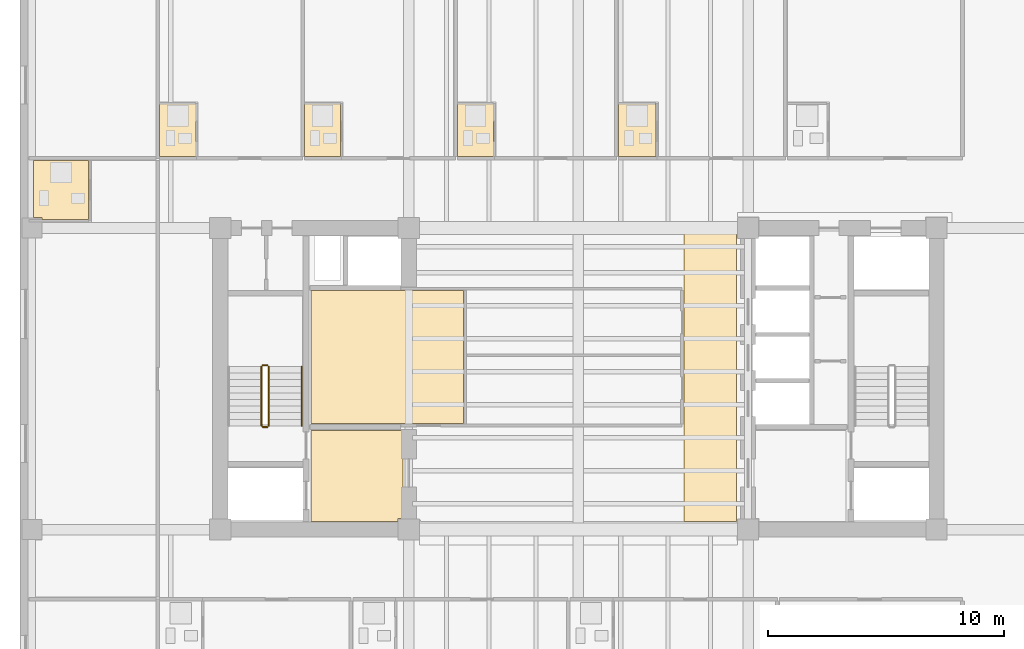
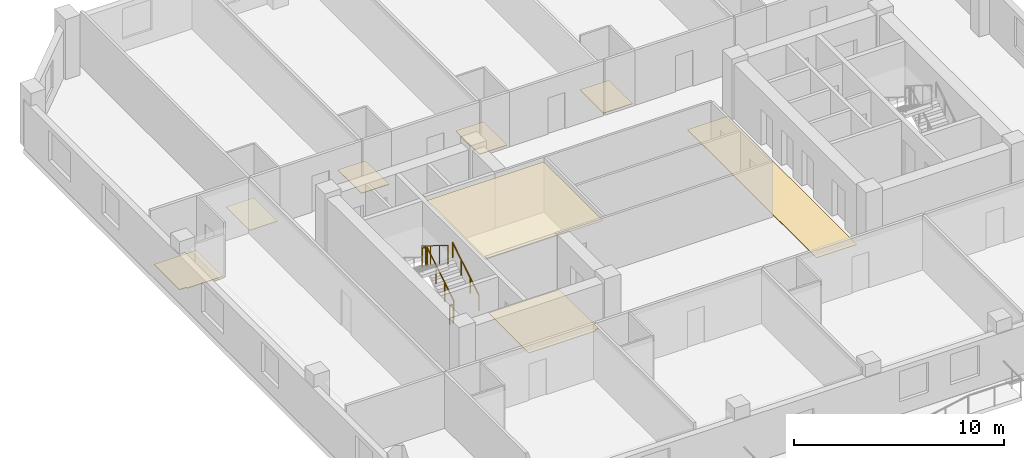
# One storey, part 8 of 11: 8 coverings, 5 railings.
"""IFC4 building model written with IfcOpenShell, lengths in metres."""

from ifc_helpers import new_model, si_unit, direction, frame, origin, origin_2d, place, context, subcontext, project, spatial, polyline, circle, outline, extrude, material, layer, layer_set, type_object, element, save


model = new_model("IFC4")

# Units and contexts
model_context = context("Model", 3, precision=1e-05, world=origin(), true_north=direction((0.0, 1.0)))
body_context = subcontext(model_context, "Body", "Model", "MODEL_VIEW")
ifc_project = project(units=[si_unit("LENGTHUNIT", "METRE"), si_unit("AREAUNIT", "SQUARE_METRE"), si_unit("VOLUMEUNIT", "CUBIC_METRE"), si_unit("PLANEANGLEUNIT", "RADIAN"), si_unit("MASSUNIT", "GRAM", prefix="KILO")], contexts=[model_context])

# Site, building, storey
site_placement = place(None, origin())
site = spatial("IfcSite", under=ifc_project, at=site_placement, CompositionType="ELEMENT")
building_placement = place(site_placement, origin())
building = spatial("IfcBuilding", under=site, at=building_placement, Name="Kranthara Brick Stack", CompositionType="ELEMENT")
storey_placement = place(building_placement, frame((0.0, 0.0, 190.300048828125)))
storey = spatial("IfcBuildingStorey", under=building, at=storey_placement, Name="L49", CompositionType="ELEMENT", Elevation=190.300048828125)

# Coverings
ifc_material_1 = material(Name="Perforated mineral-fibre acoustic ceiling tile", Category="other")
ifc_layer_1 = layer(ifc_material_1, 0.02490234375)
ifc_layer_set_1 = layer_set([ifc_layer_1], Name="Perforated mineral-fibre acoustic ceiling tile")
covering_type_1 = type_object("IfcCoveringType", Name="COV-CEIL-ACOUSTIC", PredefinedType="CEILING", material=ifc_layer_set_1)
covering_1_placement = place(storey_placement, frame((0.0, 0.0, 2.929931640625)))
element("IfcCovering", 1, at=covering_1_placement, inside=storey, type_object=covering_type_1, Name="L49 L49 Hotel Business Study Acoustic Ceiling", PredefinedType="CEILING", context=body_context, shape_type="SweptSolid", body=[
    extrude(outline(polyline([(23.1201171875, 25.300048828125), (23.1201171875, 30.93994140625), (16.64990234375, 30.93994140625), (16.64990234375, 25.300048828125), (23.1201171875, 25.300048828125)])), origin(), (0.0, 0.0, 1.0), 0.02490234375),
])
ifc_material_2 = material(Name="Honed terrazzo and porcelain floor finish", Category="stone")
ifc_layer_2 = layer(ifc_material_2, 0.030029296875)
ifc_layer_set_2 = layer_set([ifc_layer_2], Name="Honed terrazzo and porcelain floor finish")
covering_type_2 = type_object("IfcCoveringType", Name="COV-FLOR-STONE", PredefinedType="FLOORING", material=ifc_layer_set_2)
covering_2_placement = place(storey_placement, origin())
element("IfcCovering", 2, at=covering_2_placement, inside=storey, type_object=covering_type_2, Name="L49 Lift Lobby Stone Flooring", PredefinedType="FLOORING", context=body_context, shape_type="SweptSolid", body=[
    extrude(outline(polyline([(16.64990234375, 21.14990234375), (16.64990234375, 25.0), (20.550048828125, 25.0), (20.550048828125, 21.260009765625), (20.340087890625, 21.260009765625), (20.340087890625, 21.14990234375), (16.64990234375, 21.14990234375)])), origin(), (0.0, 0.0, 1.0), 0.030029296875),
])
covering_3_placement = place(storey_placement, origin())
element("IfcCovering", 3, at=covering_3_placement, inside=storey, type_object=covering_type_2, Name="L49 Lift Lobby Stone Flooring", PredefinedType="FLOORING", context=body_context, shape_type="SweptSolid", body=[
    extrude(outline(polyline([(34.699951171875, 21.14990234375), (34.699951171875, 33.449951171875), (32.47998046875, 33.449951171875), (32.47998046875, 21.14990234375), (34.699951171875, 21.14990234375)])), origin(), (0.0, 0.0, 1.0), 0.030029296875),
])
covering_4_placement = place(storey_placement, origin())
element("IfcCovering", 4, at=covering_4_placement, inside=storey, type_object=covering_type_2, Name="L49 Wet Room Porcelain Flooring", PredefinedType="FLOORING", context=body_context, shape_type="SweptSolid", body=[
    extrude(outline(polyline([(10.22998046875, 36.6298828125), (10.22998046875, 38.8798828125), (11.760009765625, 38.8798828125), (11.760009765625, 36.6298828125), (10.22998046875, 36.6298828125)])), origin(), (0.0, 0.0, 1.0), 0.030029296875),
])
covering_5_placement = place(storey_placement, origin())
element("IfcCovering", 5, at=covering_5_placement, inside=storey, type_object=covering_type_2, Name="L49 Wet Room Porcelain Flooring", PredefinedType="FLOORING", context=body_context, shape_type="SweptSolid", body=[
    extrude(outline(polyline([(16.376953125, 36.6298828125), (16.376953125, 38.8798828125), (17.906982421875, 38.8798828125), (17.906982421875, 36.6298828125), (16.376953125, 36.6298828125)])), origin(), (0.0, 0.0, 1.0), 0.030029296875),
])
covering_6_placement = place(storey_placement, origin())
element("IfcCovering", 6, at=covering_6_placement, inside=storey, type_object=covering_type_2, Name="L49 Wet Room Porcelain Flooring", PredefinedType="FLOORING", context=body_context, shape_type="SweptSolid", body=[
    extrude(outline(polyline([(22.864990234375, 36.6298828125), (22.864990234375, 38.8798828125), (24.39501953125, 38.8798828125), (24.39501953125, 36.6298828125), (22.864990234375, 36.6298828125)])), origin(), (0.0, 0.0, 1.0), 0.030029296875),
])
covering_7_placement = place(storey_placement, origin())
element("IfcCovering", 7, at=covering_7_placement, inside=storey, type_object=covering_type_2, Name="L49 Wet Room Porcelain Flooring", PredefinedType="FLOORING", context=body_context, shape_type="SweptSolid", body=[
    extrude(outline(polyline([(29.695068359375, 36.6298828125), (29.695068359375, 38.8798828125), (31.29638671875, 38.8798828125), (31.29638671875, 36.6298828125), (29.695068359375, 36.6298828125)])), origin(), (0.0, 0.0, 1.0), 0.030029296875),
])
covering_8_placement = place(storey_placement, origin())
element("IfcCovering", 8, at=covering_8_placement, inside=storey, type_object=covering_type_2, Name="L49 Wet Room Porcelain Flooring", PredefinedType="FLOORING", context=body_context, shape_type="SweptSolid", body=[
    extrude(outline(polyline([(7.2099609375, 36.469970703125), (7.2099609375, 33.9599609375), (5.235107421875, 33.9599609375), (5.235107421875, 34.034912109375), (4.8701171875, 34.034912109375), (4.8701171875, 36.469970703125), (7.2099609375, 36.469970703125)])), origin(), (0.0, 0.0, 1.0), 0.030029296875),
])

# Railings
ifc_material_3 = material(Name="Painted galvanized steel stair guardrail", Category="steel")
railing_type_1 = type_object("IfcRailingType", Name="RL-STAIR-GUARD-1100", PredefinedType="GUARDRAIL", material=ifc_material_3)
railing_1_placement = place(storey_placement, frame((14.85009765625, 25.199951171875, 0.175048828125)))
element("IfcRailing", 9, at=railing_1_placement, inside=storey, type_object=railing_type_1, Name="L49 ST01 stair guard 1", PredefinedType="GUARDRAIL", context=body_context, shape_type="SweptSolid", body=[
    extrude(circle(Radius=0.02392578125, at=origin_2d()), frame((0.0, 0.0, 1.076171875), z_axis=(0.0, 0.848007534815, 0.529984170421), x_axis=(-1.0, 0.0, 0.0)), (0.0, 0.0, 1.0), 2.9716796875),
    extrude(circle(Radius=0.02099609375, at=origin_2d()), origin(), (0.0, 0.0, 1.0), 1.052001953125),
    extrude(circle(Radius=0.02099609375, at=origin_2d()), frame((0.0, 0.840087890625, 0.52490234375)), (0.0, 0.0, 1.0), 1.052001953125),
    extrude(circle(Radius=0.02099609375, at=origin_2d()), frame((0.0, 1.679931640625, 1.050048828125)), (0.0, 0.0, 1.0), 1.052001953125),
    extrude(circle(Radius=0.02099609375, at=origin_2d()), frame((0.0, 2.52001953125, 1.574951171875)), (0.0, 0.0, 1.0), 1.052001953125),
])
railing_2_placement = place(storey_placement, frame((14.800048828125, 27.77001953125, 1.75)))
element("IfcRailing", 10, at=railing_2_placement, inside=storey, type_object=railing_type_1, Name="L49 ST01 stair guard 2", PredefinedType="GUARDRAIL", context=body_context, shape_type="SweptSolid", body=[
    extrude(circle(Radius=0.02392578125, at=origin_2d()), frame((0.0, 0.0, 1.076171875), z_axis=(-1.0, 0.0, 0.0), x_axis=(0.0, -1.0, 0.0)), (0.0, 0.0, 1.0), 0.199951171875),
    extrude(circle(Radius=0.02099609375, at=origin_2d()), origin(), (0.0, 0.0, 1.0), 1.052001953125),
    extrude(circle(Radius=0.02099609375, at=origin_2d()), frame((-0.199951171875, 0.0, 0.0)), (0.0, 0.0, 1.0), 1.052001953125),
])
railing_3_placement = place(storey_placement, frame((14.550048828125, 27.719970703125, 1.925048828125)))
element("IfcRailing", 11, at=railing_3_placement, inside=storey, type_object=railing_type_1, Name="L49 ST01 stair guard 3", PredefinedType="GUARDRAIL", context=body_context, shape_type="SweptSolid", body=[
    extrude(circle(Radius=0.02392578125, at=origin_2d()), frame((0.0, 0.0, 1.076171875), z_axis=(0.0, -0.848007534815, 0.529984170421), x_axis=(1.0, 0.0, 0.0)), (0.0, 0.0, 1.0), 2.9716796875),
    extrude(circle(Radius=0.02099609375, at=origin_2d()), origin(), (0.0, 0.0, 1.0), 1.052001953125),
    extrude(circle(Radius=0.02099609375, at=origin_2d()), frame((0.0, -0.840087890625, 0.52490234375)), (0.0, 0.0, 1.0), 1.052001953125),
    extrude(circle(Radius=0.02099609375, at=origin_2d()), frame((0.0, -1.679931640625, 1.050048828125)), (0.0, 0.0, 1.0), 1.052001953125),
    extrude(circle(Radius=0.02099609375, at=origin_2d()), frame((0.0, -2.52001953125, 1.574951171875)), (0.0, 0.0, 1.0), 1.052001953125),
])
railing_4_placement = place(storey_placement, frame((14.800048828125, 25.14990234375, 0.0)))
element("IfcRailing", 12, at=railing_4_placement, inside=storey, type_object=railing_type_1, Name="L49 ST01 stair guard 4", PredefinedType="GUARDRAIL", context=body_context, shape_type="SweptSolid", body=[
    extrude(circle(Radius=0.02392578125, at=origin_2d()), frame((0.0, 0.0, 1.076171875), z_axis=(-1.0, 0.0, 0.0), x_axis=(0.0, -1.0, 0.0)), (0.0, 0.0, 1.0), 0.199951171875),
    extrude(circle(Radius=0.02099609375, at=origin_2d()), origin(), (0.0, 0.0, 1.0), 1.052001953125),
    extrude(circle(Radius=0.02099609375, at=origin_2d()), frame((-0.199951171875, 0.0, 0.0)), (0.0, 0.0, 1.0), 1.052001953125),
])
ifc_material_4 = material(Name="Brushed stainless steel tubular handrail", Category="steel")
railing_type_2 = type_object("IfcRailingType", Name="RL-STAIR-HAND-900", PredefinedType="HANDRAIL", material=ifc_material_4)
railing_5_placement = place(storey_placement, frame((16.25, 25.199951171875, 0.175048828125)))
element("IfcRailing", 13, at=railing_5_placement, inside=storey, type_object=railing_type_2, Name="L49 ST01 stair handrail 1", PredefinedType="HANDRAIL", context=body_context, shape_type="SweptSolid", body=[
    extrude(circle(Radius=0.02392578125, at=origin_2d()), frame((0.0, 0.0, 0.8759765625), z_axis=(0.0, 0.848007534815, 0.529984170421), x_axis=(-1.0, 0.0, 0.0)), (0.0, 0.0, 1.0), 2.9716796875),
    extrude(circle(Radius=0.02099609375, at=origin_2d()), origin(), (0.0, 0.0, 1.0), 0.851806640625),
    extrude(circle(Radius=0.02099609375, at=origin_2d()), frame((0.0, 0.840087890625, 0.52490234375)), (0.0, 0.0, 1.0), 0.851806640625),
    extrude(circle(Radius=0.02099609375, at=origin_2d()), frame((0.0, 1.679931640625, 1.050048828125)), (0.0, 0.0, 1.0), 0.851806640625),
    extrude(circle(Radius=0.02099609375, at=origin_2d()), frame((0.0, 2.52001953125, 1.574951171875)), (0.0, 0.0, 1.0), 0.851806640625),
])

save(model, "model.ifc")
